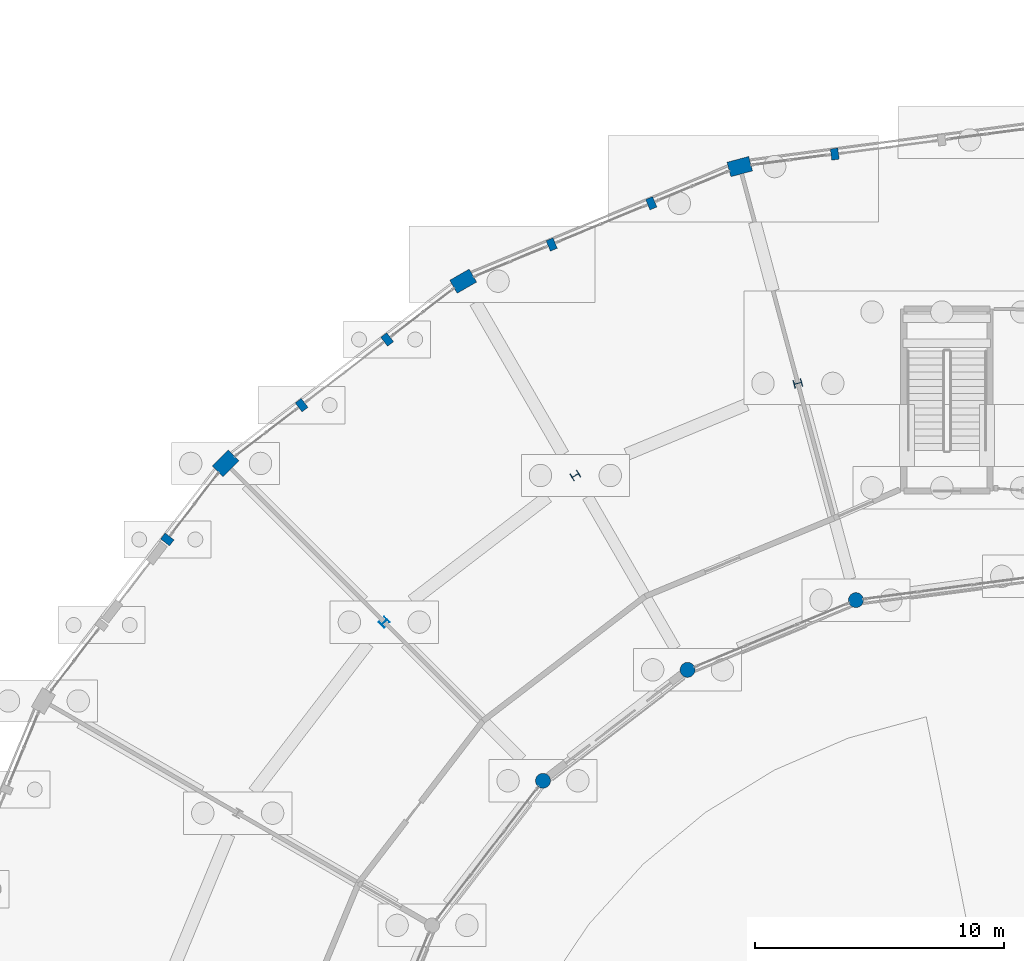
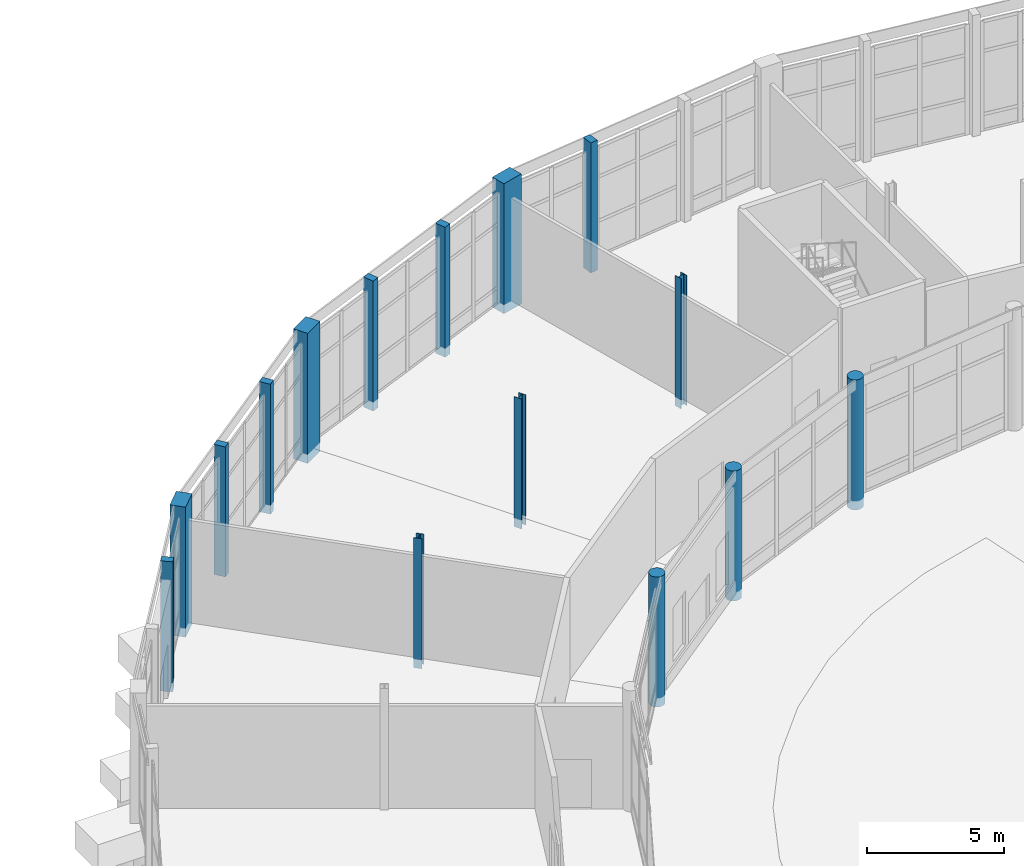
# One storey, part 17 of 137: 15 columns.
"""IFC4 building model written with IfcOpenShell, lengths in metres."""

from ifc_helpers import new_model, si_unit, direction, frame, origin, origin_2d, place, context, subcontext, project, spatial, rectangle, circle, i_section, extrude, material, material_profile, profile_set, type_object, element, save


model = new_model("IFC4")

# Units and contexts
model_context = context("Model", 3, precision=1e-05, world=origin(), true_north=direction((0.0, 1.0)))
body_context = subcontext(model_context, "Body", "Model", "MODEL_VIEW")
ifc_project = project(units=[si_unit("LENGTHUNIT", "METRE"), si_unit("AREAUNIT", "SQUARE_METRE"), si_unit("VOLUMEUNIT", "CUBIC_METRE"), si_unit("PLANEANGLEUNIT", "RADIAN"), si_unit("MASSUNIT", "GRAM", prefix="KILO")], contexts=[model_context])

# Site, building, storey
site_placement = place(None, origin())
site = spatial("IfcSite", under=ifc_project, at=site_placement, CompositionType="ELEMENT")
building_placement = place(site_placement, origin())
building = spatial("IfcBuilding", under=site, at=building_placement, Name="Vondelvale Polytechnic", CompositionType="ELEMENT")
storey_placement = place(building_placement, origin())
storey = spatial("IfcBuildingStorey", under=building, at=storey_placement, Name="L00", CompositionType="ELEMENT", Elevation=0.0)

# Columns
ifc_material_1 = material(Name="Glulam GL18 structural Tasmanian oak (fb = 42 MPa)", Category="wood")
ifc_material_profile_1 = material_profile(ifc_material_1, rectangle(XDim=0.300048828125, YDim=0.449951171875, at=origin_2d()), Name="GL-POST-300x450")
ifc_profile_set_1 = profile_set([ifc_material_profile_1], Name="Glulam GL18 structural Tasmanian oak (fb = 42 MPa)")
column_type_1 = type_object("IfcColumnType", Name="COL-GLULAM-300x450", PredefinedType="PILASTER", material=ifc_profile_set_1)
for number, where, z_axis, x_axis, name in (
    (1, (93.904052734375, 116.93408203125, -0.39990234375), (0.0, 0.0, 1.0), (0.991444861374, 0.13052619222, 0.0), "L00 ring outer glulam timber post C06-P2"),
    (2, (86.544189453125, 114.962158203125, -0.39990234375), (0.0, 0.0, 1.0), (0.923879532511, 0.382683432365, 0.0), "L00 ring outer glulam timber post C07-P1"),
    (3, (82.55029296875, 113.3076171875, -0.39990234375), (0.0, 0.0, 1.0), (0.923879532511, 0.382683432365, 0.0), "L00 ring outer glulam timber post C07-P2"),
    (4, (75.951416015625, 109.497802734375, -0.39990234375), (0.0, 0.0, 1.0), (0.793353340291, 0.608761429009, 0.0), "L00 ring outer glulam timber post C08-P1"),
    (5, (72.521728515625, 106.8662109375, -0.39990234375), (0.0, 0.0, 1.0), (0.793353340291, 0.608761429009, 0.0), "L00 ring outer glulam timber post C08-P2"),
    (6, (67.1337890625, 101.478271484375, -0.39990234375), (0.0, 0.0, 1.0), (0.608761429009, 0.793353340291, 0.0), "L00 ring outer glulam timber post C09-P1"),
):
    element("IfcColumn", number, at=place(storey_placement, frame(where, z_axis=z_axis, x_axis=x_axis)), inside=storey, type_object=column_type_1, Name=name, PredefinedType="PILASTER", context=body_context, shape_type="SweptSolid", body=[
        extrude(rectangle(XDim=0.300048828125, YDim=0.449951171875, at=origin_2d()), origin(), (0.0, 0.0, 1.0), 5.7998046875),
    ])
ifc_material_2 = material(Name="Concrete N50 (f'c = 50 MPa)", Category="concrete")
ifc_material_profile_2 = material_profile(ifc_material_2, rectangle(XDim=0.60009765625, YDim=0.89990234375, at=origin_2d()), Name="RC-COL-900x600")
ifc_profile_set_2 = profile_set([ifc_material_profile_2], Name="Concrete N50 (f'c = 50 MPa)")
column_type_2 = type_object("IfcColumnType", Name="COL-RC900x600", PredefinedType="COLUMN", material=ifc_profile_set_2)
for number, where, z_axis, x_axis, name in (
    (7, (90.09423828125, 116.4326171875, -0.39990234375), (0.0, 0.0, 1.0), (-0.258819045103, 0.965925826289, 0.0), "L00 courtyard ring column S07-RO"),
    (8, (79.0, 111.837158203125, -0.39990234375), (0.0, 0.0, 1.0), (-0.5, 0.866025403784, 0.0), "L00 courtyard ring column S08-RO"),
    (9, (69.47314453125, 104.52685546875, -0.39990234375), (0.0, 0.0, 1.0), (-0.707106781187, 0.707106781187, 0.0), "L00 courtyard ring column S09-RO"),
):
    element("IfcColumn", number, at=place(storey_placement, frame(where, z_axis=z_axis, x_axis=x_axis)), inside=storey, type_object=column_type_2, Name=name, PredefinedType="COLUMN", context=body_context, shape_type="SweptSolid", body=[
        extrude(rectangle(XDim=0.60009765625, YDim=0.89990234375, at=origin_2d()), origin(), (0.0, 0.0, 1.0), 5.7998046875),
    ])
ifc_material_profile_3 = material_profile(ifc_material_2, circle(Radius=0.300048828125, at=origin_2d()), Name="RC-COL-D600")
ifc_profile_set_3 = profile_set([ifc_material_profile_3], Name="Concrete N50 (f'c = 50 MPa)")
column_type_3 = type_object("IfcColumnType", Name="COL-RCD600", PredefinedType="COLUMN", material=ifc_profile_set_3)
for number, where, z_axis, x_axis, name in (
    (10, (94.753173828125, 99.0458984375, -0.39990234375), (0.0, 0.0, 1.0), (-0.258819045103, 0.965925826289, 0.0), "L00 courtyard ring column S07-RI"),
    (11, (88.0, 96.248779296875, -0.39990234375), (0.0, 0.0, 1.0), (-0.5, 0.866025403784, 0.0), "L00 courtyard ring column S08-RI"),
    (12, (82.200927734375, 91.799072265625, -0.39990234375), (0.0, 0.0, 1.0), (-0.707106781187, 0.707106781187, 0.0), "L00 courtyard ring column S09-RI"),
):
    element("IfcColumn", number, at=place(storey_placement, frame(where, z_axis=z_axis, x_axis=x_axis)), inside=storey, type_object=column_type_3, Name=name, PredefinedType="COLUMN", context=body_context, shape_type="SweptSolid", body=[
        extrude(circle(Radius=0.300048828125, at=origin_2d()), origin(), (0.0, 0.0, 1.0), 5.7998046875),
    ])
ifc_material_3 = material(Name="Steel 300PLUS (fy = 300 MPa)", Category="steel")
ifc_material_profile_4 = material_profile(ifc_material_3, i_section(OverallWidth=0.30908203125, OverallDepth=0.321044921875, WebThickness=0.013916015625, FlangeThickness=0.021728515625, FilletRadius=0.0166015625, at=origin_2d()), Name="310UC137")
ifc_profile_set_4 = profile_set([ifc_material_profile_4], Name="Steel 300PLUS (fy = 300 MPa)")
column_type_4 = type_object("IfcColumnType", Name="COL-UC310M", PredefinedType="COLUMN", material=ifc_profile_set_4)
for number, where, z_axis, x_axis, name in (
    (13, (92.423583984375, 107.7392578125, -0.39990234375), (0.0, 0.0, 1.0), (-0.258819045103, 0.965925826289, 0.0), "L00 courtyard ring column S07-RM"),
    (14, (83.5, 104.04296875, -0.39990234375), (0.0, 0.0, 1.0), (-0.5, 0.866025403784, 0.0), "L00 courtyard ring column S08-RM"),
    (15, (75.8369140625, 98.1630859375, -0.39990234375), (0.0, 0.0, 1.0), (-0.707106781187, 0.707106781187, 0.0), "L00 courtyard ring column S09-RM"),
):
    element("IfcColumn", number, at=place(storey_placement, frame(where, z_axis=z_axis, x_axis=x_axis)), inside=storey, type_object=column_type_4, Name=name, PredefinedType="COLUMN", context=body_context, shape_type="SweptSolid", body=[
        extrude(i_section(OverallWidth=0.30908203125, OverallDepth=0.321044921875, WebThickness=0.013916015625, FlangeThickness=0.021728515625, FilletRadius=0.0166015625, at=origin_2d()), origin(), (0.0, 0.0, 1.0), 5.7998046875),
    ])

save(model, "model.ifc")
